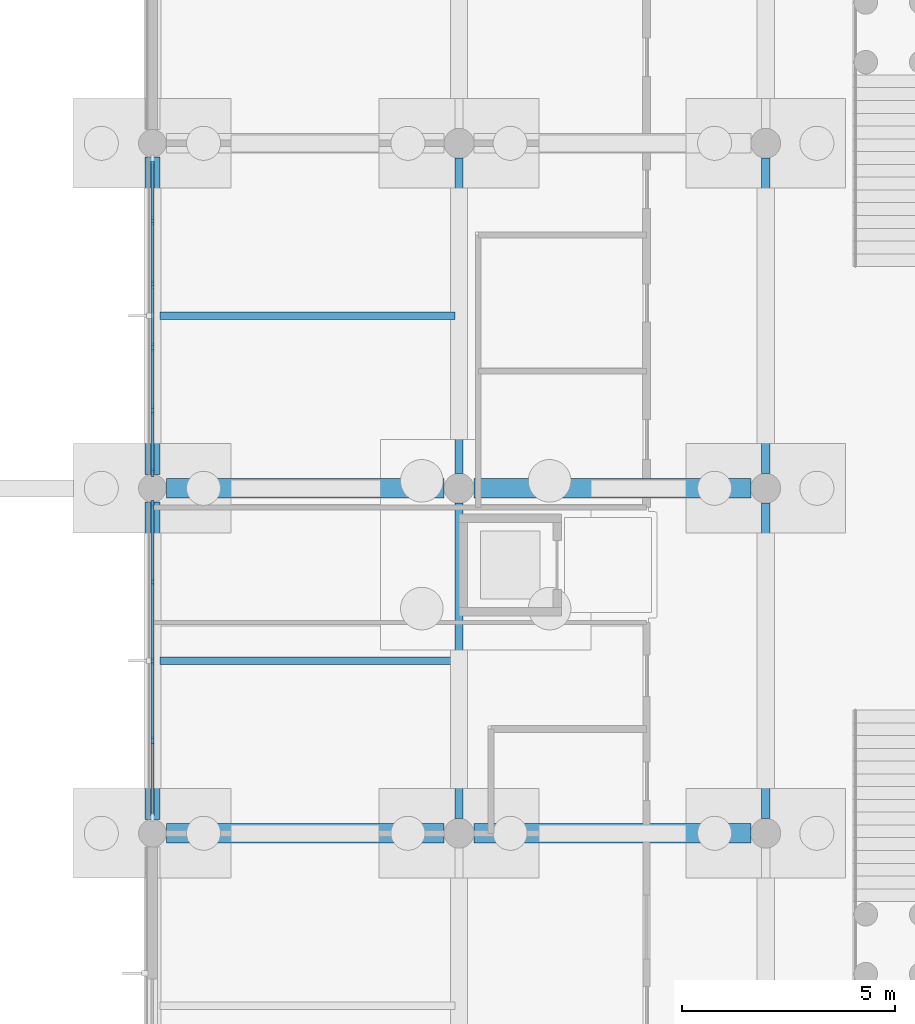
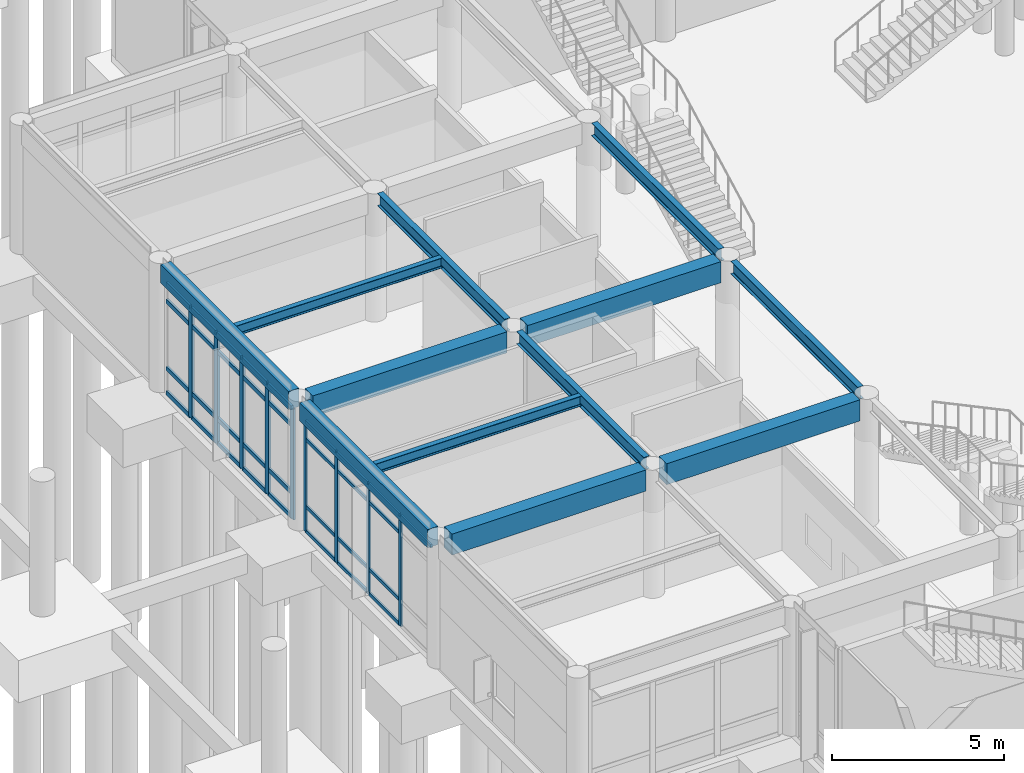
# One storey, part 15 of 103: 42 members, 12 beams, 2 elements without a shape of their own.
"""IFC4 building model written with IfcOpenShell, lengths in metres."""

import ifcopenshell
import ifcopenshell.guid

model = None  # the IFC model being written
_history = None  # IfcOwnerHistory: only IFC2X3 demands one
_inside = {}  # id of a spatial element -> (the spatial element, [elements in it])
_under = {}  # id of a project, library or spatial element -> (it, [spatial elements below it])
_declared = {}  # id of a project -> (the project, [libraries it declares])
_typed = {}  # id of a type object -> (the type object, [elements of that type])
_made_of = {}  # id of a material, layer set ... -> (it, [elements and type objects made of it])


def new_model(schema):
    """Start an empty IFC model of exactly this schema.

    Asked for "IFC4X3", IfcOpenShell would pick the latest addendum, in which some entities
    have other attributes; the version numbers below select the first issue.
    IFC2X3 requires an IfcOwnerHistory on every rooted entity: one is made here for all.
    """
    global model, _history
    if schema == "IFC4X3":
        model = ifcopenshell.file(schema_version=(4, 3, 0, 0))
    else:
        model = ifcopenshell.file(schema=schema)
    _inside.clear()
    _under.clear()
    _declared.clear()
    _typed.clear()
    _made_of.clear()
    _history = None
    if model.schema == "IFC2X3":
        org = make("IfcOrganization", Name="unknown")
        user = make(
            "IfcPersonAndOrganization",
            ThePerson=make("IfcPerson", FamilyName="unknown"),
            TheOrganization=org,
        )
        app = make(
            "IfcApplication",
            ApplicationDeveloper=org,
            Version="unknown",
            ApplicationFullName="unknown",
            ApplicationIdentifier="unknown",
        )
        _history = make(
            "IfcOwnerHistory",
            OwningUser=user,
            OwningApplication=app,
            ChangeAction="ADDED",
            CreationDate=0,
        )
    return model


def make(cls, **values):
    """One entity of the class cls with the attributes given. An attribute that is None is left unset."""
    return model.create_entity(
        cls, **{name: value for name, value in values.items() if value is not None}
    )


def rooted(cls, **values):
    """An entity with a GlobalId (a new one), such as an element, a storey or a relation."""
    return make(cls, GlobalId=ifcopenshell.guid.new(), OwnerHistory=_history, **values)


def si_unit(unit_type, name, prefix=None):
    """IfcSIUnit, for example si_unit("LENGTHUNIT", "METRE", prefix="MILLI")."""
    return make("IfcSIUnit", UnitType=unit_type, Prefix=prefix, Name=name)


def assignment(units):
    """IfcUnitAssignment: the units of a project."""
    return None if units is None else make("IfcUnitAssignment", Units=units)


def point(xyz):
    """IfcCartesianPoint."""
    return None if xyz is None else make("IfcCartesianPoint", Coordinates=xyz)


def direction(xyz):
    """IfcDirection."""
    return None if xyz is None else make("IfcDirection", DirectionRatios=xyz)


def frame(location, z_axis=None, x_axis=None):
    """IfcAxis2Placement3D, a coordinate frame: its origin and axes. An axis left out is left unset."""
    return make(
        "IfcAxis2Placement3D",
        Location=point(location),
        Axis=direction(z_axis),
        RefDirection=direction(x_axis),
    )


def frame_2d(location, x_axis=None):
    """IfcAxis2Placement2D, a coordinate frame in the plane: its origin and x axis."""
    return make(
        "IfcAxis2Placement2D", Location=point(location), RefDirection=direction(x_axis)
    )


def origin():
    """The frame at (0, 0, 0) with its axes left unset."""
    return frame((0.0, 0.0, 0.0))


def origin_2d():
    """The frame at (0, 0) in the plane with its x axis left unset."""
    return frame_2d((0.0, 0.0))


def place(relative_to, where):
    """IfcLocalPlacement: puts the frame where relative to a parent placement (None: the world)."""
    return make(
        "IfcLocalPlacement", PlacementRelTo=relative_to, RelativePlacement=where
    )


def context(
    kind, dimensions, precision=None, world=None, true_north=None, identifier=None
):
    """IfcGeometricRepresentationContext, for example the 3D "Model" context."""
    return make(
        "IfcGeometricRepresentationContext",
        ContextIdentifier=identifier,
        ContextType=kind,
        CoordinateSpaceDimension=dimensions,
        Precision=precision,
        WorldCoordinateSystem=world,
        TrueNorth=true_north,
    )


def subcontext(parent, identifier, kind, view, scale=None):
    """IfcGeometricRepresentationSubContext, for example "Body" below "Model"."""
    return make(
        "IfcGeometricRepresentationSubContext",
        ContextIdentifier=identifier,
        ContextType=kind,
        ParentContext=parent,
        TargetScale=scale,
        TargetView=view,
    )


def project(units=None, contexts=None):
    """IfcProject with its units and contexts."""
    return rooted(
        "IfcProject",
        Name="project",
        RepresentationContexts=contexts,
        UnitsInContext=assignment(units),
    )


def spatial(cls, under=None, at=None, **own):
    """A site, building, storey or space (cls), placed at a placement, below another one or the project."""
    s = rooted(cls, ObjectPlacement=at, **own)
    if under is not None:
        _under.setdefault(under.id(), (under, []))[1].append(s)
    return s


def profile(cls, at=None, kind="AREA", **sizes):
    """A parametric profile (cls). Its sizes go by their IFC names, for example OverallWidth=200.0."""
    return make(cls, ProfileType=kind, Position=at, **sizes)


def rectangle(**sizes):
    """IfcRectangleProfileDef."""
    return profile("IfcRectangleProfileDef", **sizes)


def i_section(**sizes):
    """IfcIShapeProfileDef."""
    return profile("IfcIShapeProfileDef", **sizes)


def extrude(swept, where, along, depth):
    """IfcExtrudedAreaSolid: the profile swept, set in the frame where, extruded along a direction by depth."""
    return make(
        "IfcExtrudedAreaSolid",
        SweptArea=swept,
        Position=where,
        ExtrudedDirection=direction(along),
        Depth=depth,
    )


def shape(context_of_items, identifier, shape_type, items):
    """IfcShapeRepresentation: the items that make up one representation, for example the "Body"."""
    return make(
        "IfcShapeRepresentation",
        ContextOfItems=context_of_items,
        RepresentationIdentifier=identifier,
        RepresentationType=shape_type,
        Items=items,
    )


def material(Name=None, Category=None):
    """IfcMaterial."""
    return make("IfcMaterial", Name=Name, Category=Category)


def layer(
    of_material, thickness, ventilated=None, Name=None, Category=None, Priority=None
):
    """IfcMaterialLayer: one layer of a wall or slab, of a material (None: an air gap)."""
    return make(
        "IfcMaterialLayer",
        Material=of_material,
        LayerThickness=thickness,
        IsVentilated=ventilated,
        Name=Name,
        Category=Category,
        Priority=Priority,
    )


def layer_set(layers, Name=None):
    """IfcMaterialLayerSet."""
    return make("IfcMaterialLayerSet", MaterialLayers=layers, LayerSetName=Name)


def material_profile(
    of_material, cross_section, Name=None, Category=None, Priority=None
):
    """IfcMaterialProfile: a cross section and its material."""
    return make(
        "IfcMaterialProfile",
        Name=Name,
        Material=of_material,
        Profile=cross_section,
        Priority=Priority,
        Category=Category,
    )


def profile_set(profiles, Name=None, composite=None):
    """IfcMaterialProfileSet."""
    return make(
        "IfcMaterialProfileSet",
        Name=Name,
        MaterialProfiles=profiles,
        CompositeProfile=composite,
    )


def made_of(thing, what):
    """Note that an element or type object is made of a material, layer set ...; save() writes the relation."""
    if what is not None:
        _made_of.setdefault(what.id(), (what, []))[1].append(thing)
    return thing


def type_object(cls, material=None, **own):
    """A type object (cls), such as IfcWallType, which elements share."""
    return made_of(rooted(cls, **own), material)


def element(
    cls,
    number,
    at=None,
    inside=None,
    cuts=None,
    type_object=None,
    material=None,
    context=None,
    identifier="Body",
    shape_type=None,
    held_by="IfcProductDefinitionShape",
    body=None,
    shapes=None,
    **own,
):
    """One element of the class cls, such as IfcWall. Its Tag is "e" and its number.

    at: its placement. inside: the storey or other place that contains it. cuts: it is an
    opening in that element (IfcRelVoidsElement). A single representation is given by context,
    identifier, shape_type and body (its items); several are given by shapes. held_by: the class
    of the entity that holds the representations. save() writes the other relations.
    """
    e = rooted(cls, Tag="e%d" % number, ObjectPlacement=at, **own)
    if body is not None:
        shapes = [shape(context, identifier, shape_type, body)]
    if shapes is not None:
        e.Representation = make(held_by, Representations=shapes)
    if inside is not None:
        _inside.setdefault(inside.id(), (inside, []))[1].append(e)
    if cuts is not None:
        rooted(
            "IfcRelVoidsElement", RelatingBuildingElement=cuts, RelatedOpeningElement=e
        )
    if type_object is not None:
        _typed.setdefault(type_object.id(), (type_object, []))[1].append(e)
    return made_of(e, material)


def aggregate(whole, parts):
    """IfcRelAggregates: a whole, such as a stair, and the parts it consists of."""
    return rooted("IfcRelAggregates", RelatingObject=whole, RelatedObjects=parts)


def save(model, path):
    """Write the relations noted so far, then the file.

    IfcRelAggregates (storeys below a building ...), IfcRelContainedInSpatialStructure (elements
    in a storey), IfcRelDefinesByType, IfcRelAssociatesMaterial and IfcRelDeclares: one each for
    every whole, place, type object, material and project.
    """
    for whole, parts in _under.values():
        aggregate(whole, parts)
    for where, things in _inside.values():
        rooted(
            "IfcRelContainedInSpatialStructure",
            RelatedElements=things,
            RelatingStructure=where,
        )
    for kind, things in _typed.values():
        rooted("IfcRelDefinesByType", RelatedObjects=things, RelatingType=kind)
    for what, things in _made_of.values():
        rooted("IfcRelAssociatesMaterial", RelatedObjects=things, RelatingMaterial=what)
    for by, libraries in _declared.values():
        rooted("IfcRelDeclares", RelatingContext=by, RelatedDefinitions=libraries)
    model.write(path)


model = new_model("IFC4")

# Units and contexts
model_context = context("Model", 3, precision=1e-05, world=origin(), true_north=direction((0.0, 1.0)))
body_context = subcontext(model_context, "Body", "Model", "MODEL_VIEW")
ifc_project = project(units=[si_unit("LENGTHUNIT", "METRE"), si_unit("AREAUNIT", "SQUARE_METRE"), si_unit("VOLUMEUNIT", "CUBIC_METRE"), si_unit("PLANEANGLEUNIT", "RADIAN"), si_unit("MASSUNIT", "GRAM", prefix="KILO")], contexts=[model_context])

# Site, building, storey
site_placement = place(None, origin())
site = spatial("IfcSite", under=ifc_project, at=site_placement, CompositionType="ELEMENT")
building_placement = place(site_placement, origin())
building = spatial("IfcBuilding", under=site, at=building_placement, Name="Namkhue Oval Health Centre", CompositionType="ELEMENT")
storey_placement = place(building_placement, origin())
storey = spatial("IfcBuildingStorey", under=building, at=storey_placement, Name="L00", CompositionType="ELEMENT", Elevation=0.0)

# Curtain wall, members
ifc_material_1 = material(Name="Anodised aluminium EN AW-6063 T6", Category="aluminium")
ifc_layer_1 = layer(ifc_material_1, 0.159912109375)
ifc_layer_set_1 = layer_set([ifc_layer_1], Name="Anodised aluminium EN AW-6063 T6")
curtain_wall_type_1 = type_object("IfcCurtainWallType", Name="UNITISED CURTAIN WALL M1800", PredefinedType="NOTDEFINED", material=ifc_layer_set_1)
curtain_wall_1_placement = place(storey_placement, origin())
curtain_wall_1 = element("IfcCurtainWall", 1, at=curtain_wall_1_placement, inside=storey, type_object=curtain_wall_type_1, Name="Volume V1 L00 Unitised Curtain Wall 17", PredefinedType="NOTDEFINED")
ifc_material_profile_1 = material_profile(ifc_material_1, rectangle(XDim=0.06494140625, YDim=0.159912109375, at=origin_2d()), Name="ALU 65x160")
ifc_profile_set_1 = profile_set([ifc_material_profile_1], Name="Anodised aluminium EN AW-6063 T6")
member_type_1 = type_object("IfcMemberType", Name="CURTAIN WALL MULLION 65X160", PredefinedType="MULLION", material=ifc_profile_set_1)
member_1_placement = place(storey_placement, frame((14.39990234375, 59.032470703125, 0.0), z_axis=(0.0, 0.0, 1.0), x_axis=(1.0, 0.0, 0.0)))
member_1 = element("IfcMember", 2, at=member_1_placement, type_object=member_type_1, Name="CW-05 mullion 1", PredefinedType="MULLION", context=body_context, shape_type="SweptSolid", body=[
    extrude(rectangle(XDim=0.06494140625, YDim=0.159912109375, at=origin_2d()), origin(), (0.0, 0.0, 1.0), 3.93994140625),
])
member_2_placement = place(storey_placement, frame((14.39990234375, 57.20751953125, 0.0), z_axis=(0.0, 0.0, 1.0), x_axis=(1.0, 0.0, 0.0)))
member_2 = element("IfcMember", 3, at=member_2_placement, type_object=member_type_1, Name="CW-05 mullion 2", PredefinedType="MULLION", context=body_context, shape_type="SweptSolid", body=[
    extrude(rectangle(XDim=0.06494140625, YDim=0.159912109375, at=origin_2d()), origin(), (0.0, 0.0, 1.0), 3.93994140625),
])
member_3_placement = place(storey_placement, frame((14.39990234375, 55.35009765625, 0.0), z_axis=(0.0, 0.0, 1.0), x_axis=(1.0, 0.0, 0.0)))
member_3 = element("IfcMember", 4, at=member_3_placement, type_object=member_type_1, Name="CW-05 mullion 3", PredefinedType="MULLION", context=body_context, shape_type="SweptSolid", body=[
    extrude(rectangle(XDim=0.06494140625, YDim=0.159912109375, at=origin_2d()), origin(), (0.0, 0.0, 1.0), 3.93994140625),
])
member_4_placement = place(storey_placement, frame((14.39990234375, 53.492431640625, 0.0), z_axis=(0.0, 0.0, 1.0), x_axis=(1.0, 0.0, 0.0)))
member_4 = element("IfcMember", 5, at=member_4_placement, type_object=member_type_1, Name="CW-05 mullion 4", PredefinedType="MULLION", context=body_context, shape_type="SweptSolid", body=[
    extrude(rectangle(XDim=0.06494140625, YDim=0.159912109375, at=origin_2d()), origin(), (0.0, 0.0, 1.0), 3.93994140625),
])

ifc_layer_2 = layer(ifc_material_1, 0.159912109375)
ifc_layer_set_2 = layer_set([ifc_layer_2], Name="Anodised aluminium EN AW-6063 T6")
curtain_wall_type_2 = type_object("IfcCurtainWallType", Name="UNITISED CURTAIN WALL M1600", PredefinedType="NOTDEFINED", material=ifc_layer_set_2)
curtain_wall_2_placement = place(storey_placement, origin())
curtain_wall_2 = element("IfcCurtainWall", 6, at=curtain_wall_2_placement, inside=storey, type_object=curtain_wall_type_2, Name="Volume V1 L00 Unitised Curtain Wall 16", PredefinedType="NOTDEFINED")
ifc_material_profile_2 = material_profile(ifc_material_1, rectangle(XDim=0.074951171875, YDim=0.199951171875, at=origin_2d()), Name="ALU 75x200")
ifc_profile_set_2 = profile_set([ifc_material_profile_2], Name="Anodised aluminium EN AW-6063 T6")
member_type_2 = type_object("IfcMemberType", Name="CURTAIN WALL MULLION 75X200", PredefinedType="MULLION", material=ifc_profile_set_2)
member_5_placement = place(storey_placement, frame((14.39990234375, 65.678955078125, 0.0), z_axis=(0.0, 0.0, 1.0), x_axis=(1.0, 0.0, 0.0)))
member_5 = element("IfcMember", 7, at=member_5_placement, type_object=member_type_2, Name="CW-04 mullion 2", PredefinedType="MULLION", context=body_context, shape_type="SweptSolid", body=[
    extrude(rectangle(XDim=0.074951171875, YDim=0.199951171875, at=origin_2d()), origin(), (0.0, 0.0, 1.0), 3.93994140625),
])
member_6_placement = place(storey_placement, frame((14.39990234375, 64.193115234375, 0.0), z_axis=(0.0, 0.0, 1.0), x_axis=(1.0, 0.0, 0.0)))
member_6 = element("IfcMember", 8, at=member_6_placement, type_object=member_type_2, Name="CW-04 mullion 3", PredefinedType="MULLION", context=body_context, shape_type="SweptSolid", body=[
    extrude(rectangle(XDim=0.074951171875, YDim=0.199951171875, at=origin_2d()), origin(), (0.0, 0.0, 1.0), 3.93994140625),
])
member_7_placement = place(storey_placement, frame((14.39990234375, 62.70703125, 0.0), z_axis=(0.0, 0.0, 1.0), x_axis=(1.0, 0.0, 0.0)))
member_7 = element("IfcMember", 9, at=member_7_placement, type_object=member_type_2, Name="CW-04 mullion 4", PredefinedType="MULLION", context=body_context, shape_type="SweptSolid", body=[
    extrude(rectangle(XDim=0.074951171875, YDim=0.199951171875, at=origin_2d()), origin(), (0.0, 0.0, 1.0), 3.93994140625),
])
member_8_placement = place(storey_placement, frame((14.39990234375, 61.220947265625, 0.0), z_axis=(0.0, 0.0, 1.0), x_axis=(1.0, 0.0, 0.0)))
member_8 = element("IfcMember", 10, at=member_8_placement, type_object=member_type_2, Name="CW-04 mullion 5", PredefinedType="MULLION", context=body_context, shape_type="SweptSolid", body=[
    extrude(rectangle(XDim=0.074951171875, YDim=0.199951171875, at=origin_2d()), origin(), (0.0, 0.0, 1.0), 3.93994140625),
])
member_9_placement = place(storey_placement, frame((14.39990234375, 59.7724609375, 0.0), z_axis=(0.0, 0.0, 1.0), x_axis=(1.0, 0.0, 0.0)))
member_9 = element("IfcMember", 11, at=member_9_placement, type_object=member_type_2, Name="CW-04 mullion 6", PredefinedType="MULLION", context=body_context, shape_type="SweptSolid", body=[
    extrude(rectangle(XDim=0.074951171875, YDim=0.199951171875, at=origin_2d()), origin(), (0.0, 0.0, 1.0), 3.93994140625),
])

# Member
ifc_material_profile_3 = material_profile(ifc_material_1, rectangle(XDim=0.06494140625, YDim=0.1201171875, at=origin_2d()), Name="ALU 65x120")
ifc_profile_set_3 = profile_set([ifc_material_profile_3], Name="Anodised aluminium EN AW-6063 T6")
member_type_3 = type_object("IfcMemberType", Name="CURTAIN WALL TRANSOM 65X120", PredefinedType="USERDEFINED", material=ifc_profile_set_3)
member_10_placement = place(storey_placement, frame((14.39990234375, 59.0, 0.032470703125), z_axis=(0.0, -1.0, 0.0), x_axis=(1.0, 0.0, 0.0)))
member_10 = element("IfcMember", 12, at=member_10_placement, type_object=member_type_3, Name="CW-05 transom 1.1", ObjectType="TRANSOM", PredefinedType="USERDEFINED", context=body_context, shape_type="SweptSolid", body=[
    extrude(rectangle(XDim=0.06494140625, YDim=0.1201171875, at=origin_2d()), origin(), (0.0, 0.0, 1.0), 1.760009765625),
])

member_11_placement = place(storey_placement, frame((14.39990234375, 59.0, 0.89990234375), z_axis=(0.0, -1.0, 0.0), x_axis=(1.0, 0.0, 0.0)))
member_11 = element("IfcMember", 13, at=member_11_placement, type_object=member_type_3, Name="CW-05 transom 1.2", ObjectType="TRANSOM", PredefinedType="USERDEFINED", context=body_context, shape_type="SweptSolid", body=[
    extrude(rectangle(XDim=0.06494140625, YDim=0.1201171875, at=origin_2d()), origin(), (0.0, 0.0, 1.0), 1.760009765625),
])

member_12_placement = place(storey_placement, frame((14.39990234375, 59.0, 3.2900390625), z_axis=(0.0, -1.0, 0.0), x_axis=(1.0, 0.0, 0.0)))
member_12 = element("IfcMember", 14, at=member_12_placement, type_object=member_type_3, Name="CW-05 transom 1.3", ObjectType="TRANSOM", PredefinedType="USERDEFINED", context=body_context, shape_type="SweptSolid", body=[
    extrude(rectangle(XDim=0.06494140625, YDim=0.1201171875, at=origin_2d()), origin(), (0.0, 0.0, 1.0), 1.760009765625),
])

member_13_placement = place(storey_placement, frame((14.39990234375, 59.0, 3.907470703125), z_axis=(0.0, -1.0, 0.0), x_axis=(1.0, 0.0, 0.0)))
member_13 = element("IfcMember", 15, at=member_13_placement, type_object=member_type_3, Name="CW-05 transom 1.4", ObjectType="TRANSOM", PredefinedType="USERDEFINED", context=body_context, shape_type="SweptSolid", body=[
    extrude(rectangle(XDim=0.06494140625, YDim=0.1201171875, at=origin_2d()), origin(), (0.0, 0.0, 1.0), 1.760009765625),
])

member_14_placement = place(storey_placement, frame((14.39990234375, 57.175048828125, 0.032470703125), z_axis=(0.0, -1.0, 0.0), x_axis=(1.0, 0.0, 0.0)))
member_14 = element("IfcMember", 16, at=member_14_placement, type_object=member_type_3, Name="CW-05 transom 2.1", ObjectType="TRANSOM", PredefinedType="USERDEFINED", context=body_context, shape_type="SweptSolid", body=[
    extrude(rectangle(XDim=0.06494140625, YDim=0.1201171875, at=origin_2d()), origin(), (0.0, 0.0, 1.0), 1.79248046875),
])

member_15_placement = place(storey_placement, frame((14.39990234375, 57.175048828125, 0.89990234375), z_axis=(0.0, -1.0, 0.0), x_axis=(1.0, 0.0, 0.0)))
member_15 = element("IfcMember", 17, at=member_15_placement, type_object=member_type_3, Name="CW-05 transom 2.2", ObjectType="TRANSOM", PredefinedType="USERDEFINED", context=body_context, shape_type="SweptSolid", body=[
    extrude(rectangle(XDim=0.06494140625, YDim=0.1201171875, at=origin_2d()), origin(), (0.0, 0.0, 1.0), 1.79248046875),
])

member_16_placement = place(storey_placement, frame((14.39990234375, 57.175048828125, 3.2900390625), z_axis=(0.0, -1.0, 0.0), x_axis=(1.0, 0.0, 0.0)))
member_16 = element("IfcMember", 18, at=member_16_placement, type_object=member_type_3, Name="CW-05 transom 2.3", ObjectType="TRANSOM", PredefinedType="USERDEFINED", context=body_context, shape_type="SweptSolid", body=[
    extrude(rectangle(XDim=0.06494140625, YDim=0.1201171875, at=origin_2d()), origin(), (0.0, 0.0, 1.0), 1.79248046875),
])

member_17_placement = place(storey_placement, frame((14.39990234375, 57.175048828125, 3.907470703125), z_axis=(0.0, -1.0, 0.0), x_axis=(1.0, 0.0, 0.0)))
member_17 = element("IfcMember", 19, at=member_17_placement, type_object=member_type_3, Name="CW-05 transom 2.4", ObjectType="TRANSOM", PredefinedType="USERDEFINED", context=body_context, shape_type="SweptSolid", body=[
    extrude(rectangle(XDim=0.06494140625, YDim=0.1201171875, at=origin_2d()), origin(), (0.0, 0.0, 1.0), 1.79248046875),
])

member_18_placement = place(storey_placement, frame((14.39990234375, 55.3173828125, 0.032470703125), z_axis=(0.0, -1.0, 0.0), x_axis=(1.0, 0.0, 0.0)))
member_18 = element("IfcMember", 20, at=member_18_placement, type_object=member_type_3, Name="CW-05 transom 3.1", ObjectType="TRANSOM", PredefinedType="USERDEFINED", context=body_context, shape_type="SweptSolid", body=[
    extrude(rectangle(XDim=0.06494140625, YDim=0.1201171875, at=origin_2d()), origin(), (0.0, 0.0, 1.0), 1.79248046875),
])

member_19_placement = place(storey_placement, frame((14.39990234375, 55.3173828125, 0.89990234375), z_axis=(0.0, -1.0, 0.0), x_axis=(1.0, 0.0, 0.0)))
member_19 = element("IfcMember", 21, at=member_19_placement, type_object=member_type_3, Name="CW-05 transom 3.2", ObjectType="TRANSOM", PredefinedType="USERDEFINED", context=body_context, shape_type="SweptSolid", body=[
    extrude(rectangle(XDim=0.06494140625, YDim=0.1201171875, at=origin_2d()), origin(), (0.0, 0.0, 1.0), 1.79248046875),
])

member_20_placement = place(storey_placement, frame((14.39990234375, 55.3173828125, 3.2900390625), z_axis=(0.0, -1.0, 0.0), x_axis=(1.0, 0.0, 0.0)))
member_20 = element("IfcMember", 22, at=member_20_placement, type_object=member_type_3, Name="CW-05 transom 3.3", ObjectType="TRANSOM", PredefinedType="USERDEFINED", context=body_context, shape_type="SweptSolid", body=[
    extrude(rectangle(XDim=0.06494140625, YDim=0.1201171875, at=origin_2d()), origin(), (0.0, 0.0, 1.0), 1.79248046875),
])

member_21_placement = place(storey_placement, frame((14.39990234375, 55.3173828125, 3.907470703125), z_axis=(0.0, -1.0, 0.0), x_axis=(1.0, 0.0, 0.0)))
member_21 = element("IfcMember", 23, at=member_21_placement, type_object=member_type_3, Name="CW-05 transom 3.4", ObjectType="TRANSOM", PredefinedType="USERDEFINED", context=body_context, shape_type="SweptSolid", body=[
    extrude(rectangle(XDim=0.06494140625, YDim=0.1201171875, at=origin_2d()), origin(), (0.0, 0.0, 1.0), 1.79248046875),
])

member_22_placement = place(storey_placement, frame((14.39990234375, 53.4599609375, 3.907470703125), z_axis=(0.0, -1.0, 0.0), x_axis=(1.0, 0.0, 0.0)))
member_22 = element("IfcMember", 24, at=member_22_placement, type_object=member_type_3, Name="CW-05 transom 4.4", ObjectType="TRANSOM", PredefinedType="USERDEFINED", context=body_context, shape_type="SweptSolid", body=[
    extrude(rectangle(XDim=0.06494140625, YDim=0.1201171875, at=origin_2d()), origin(), (0.0, 0.0, 1.0), 1.760009765625),
])

aggregate(curtain_wall_1, [member_1, member_2, member_3, member_4, member_10, member_11, member_12, member_13, member_14, member_15, member_16, member_17, member_18, member_19, member_20, member_21, member_22])

ifc_material_profile_4 = material_profile(ifc_material_1, rectangle(XDim=0.074951171875, YDim=0.14990234375, at=origin_2d()), Name="ALU 75x150")
ifc_profile_set_4 = profile_set([ifc_material_profile_4], Name="Anodised aluminium EN AW-6063 T6")
member_type_4 = type_object("IfcMemberType", Name="CURTAIN WALL TRANSOM 75X150", PredefinedType="USERDEFINED", material=ifc_profile_set_4)
member_23_placement = place(storey_placement, frame((14.39990234375, 67.090087890625, 0.03759765625), z_axis=(0.0, -1.0, 0.0), x_axis=(1.0, 0.0, 0.0)))
member_23 = element("IfcMember", 25, at=member_23_placement, type_object=member_type_4, Name="CW-04 transom 1.1", ObjectType="TRANSOM", PredefinedType="USERDEFINED", context=body_context, shape_type="SweptSolid", body=[
    extrude(rectangle(XDim=0.074951171875, YDim=0.14990234375, at=origin_2d()), origin(), (0.0, 0.0, 1.0), 1.37353515625),
])

member_24_placement = place(storey_placement, frame((14.39990234375, 67.090087890625, 0.89990234375), z_axis=(0.0, -1.0, 0.0), x_axis=(1.0, 0.0, 0.0)))
member_24 = element("IfcMember", 26, at=member_24_placement, type_object=member_type_4, Name="CW-04 transom 1.2", ObjectType="TRANSOM", PredefinedType="USERDEFINED", context=body_context, shape_type="SweptSolid", body=[
    extrude(rectangle(XDim=0.074951171875, YDim=0.14990234375, at=origin_2d()), origin(), (0.0, 0.0, 1.0), 1.37353515625),
])

member_25_placement = place(storey_placement, frame((14.39990234375, 67.090087890625, 3.2900390625), z_axis=(0.0, -1.0, 0.0), x_axis=(1.0, 0.0, 0.0)))
member_25 = element("IfcMember", 27, at=member_25_placement, type_object=member_type_4, Name="CW-04 transom 1.3", ObjectType="TRANSOM", PredefinedType="USERDEFINED", context=body_context, shape_type="SweptSolid", body=[
    extrude(rectangle(XDim=0.074951171875, YDim=0.14990234375, at=origin_2d()), origin(), (0.0, 0.0, 1.0), 1.37353515625),
])

member_26_placement = place(storey_placement, frame((14.39990234375, 67.090087890625, 3.902587890625), z_axis=(0.0, -1.0, 0.0), x_axis=(1.0, 0.0, 0.0)))
member_26 = element("IfcMember", 28, at=member_26_placement, type_object=member_type_4, Name="CW-04 transom 1.4", ObjectType="TRANSOM", PredefinedType="USERDEFINED", context=body_context, shape_type="SweptSolid", body=[
    extrude(rectangle(XDim=0.074951171875, YDim=0.14990234375, at=origin_2d()), origin(), (0.0, 0.0, 1.0), 1.37353515625),
])

member_27_placement = place(storey_placement, frame((14.39990234375, 65.6416015625, 0.03759765625), z_axis=(0.0, -1.0, 0.0), x_axis=(1.0, 0.0, 0.0)))
member_27 = element("IfcMember", 29, at=member_27_placement, type_object=member_type_4, Name="CW-04 transom 2.1", ObjectType="TRANSOM", PredefinedType="USERDEFINED", context=body_context, shape_type="SweptSolid", body=[
    extrude(rectangle(XDim=0.074951171875, YDim=0.14990234375, at=origin_2d()), origin(), (0.0, 0.0, 1.0), 1.4111328125),
])

member_28_placement = place(storey_placement, frame((14.39990234375, 65.6416015625, 0.89990234375), z_axis=(0.0, -1.0, 0.0), x_axis=(1.0, 0.0, 0.0)))
member_28 = element("IfcMember", 30, at=member_28_placement, type_object=member_type_4, Name="CW-04 transom 2.2", ObjectType="TRANSOM", PredefinedType="USERDEFINED", context=body_context, shape_type="SweptSolid", body=[
    extrude(rectangle(XDim=0.074951171875, YDim=0.14990234375, at=origin_2d()), origin(), (0.0, 0.0, 1.0), 1.4111328125),
])

member_29_placement = place(storey_placement, frame((14.39990234375, 65.6416015625, 3.2900390625), z_axis=(0.0, -1.0, 0.0), x_axis=(1.0, 0.0, 0.0)))
member_29 = element("IfcMember", 31, at=member_29_placement, type_object=member_type_4, Name="CW-04 transom 2.3", ObjectType="TRANSOM", PredefinedType="USERDEFINED", context=body_context, shape_type="SweptSolid", body=[
    extrude(rectangle(XDim=0.074951171875, YDim=0.14990234375, at=origin_2d()), origin(), (0.0, 0.0, 1.0), 1.4111328125),
])

member_30_placement = place(storey_placement, frame((14.39990234375, 65.6416015625, 3.902587890625), z_axis=(0.0, -1.0, 0.0), x_axis=(1.0, 0.0, 0.0)))
member_30 = element("IfcMember", 32, at=member_30_placement, type_object=member_type_4, Name="CW-04 transom 2.4", ObjectType="TRANSOM", PredefinedType="USERDEFINED", context=body_context, shape_type="SweptSolid", body=[
    extrude(rectangle(XDim=0.074951171875, YDim=0.14990234375, at=origin_2d()), origin(), (0.0, 0.0, 1.0), 1.4111328125),
])

member_31_placement = place(storey_placement, frame((14.39990234375, 64.155517578125, 0.03759765625), z_axis=(0.0, -1.0, 0.0), x_axis=(1.0, 0.0, 0.0)))
member_31 = element("IfcMember", 33, at=member_31_placement, type_object=member_type_4, Name="CW-04 transom 3.1", ObjectType="TRANSOM", PredefinedType="USERDEFINED", context=body_context, shape_type="SweptSolid", body=[
    extrude(rectangle(XDim=0.074951171875, YDim=0.14990234375, at=origin_2d()), origin(), (0.0, 0.0, 1.0), 1.4111328125),
])

member_32_placement = place(storey_placement, frame((14.39990234375, 64.155517578125, 0.89990234375), z_axis=(0.0, -1.0, 0.0), x_axis=(1.0, 0.0, 0.0)))
member_32 = element("IfcMember", 34, at=member_32_placement, type_object=member_type_4, Name="CW-04 transom 3.2", ObjectType="TRANSOM", PredefinedType="USERDEFINED", context=body_context, shape_type="SweptSolid", body=[
    extrude(rectangle(XDim=0.074951171875, YDim=0.14990234375, at=origin_2d()), origin(), (0.0, 0.0, 1.0), 1.4111328125),
])

member_33_placement = place(storey_placement, frame((14.39990234375, 64.155517578125, 3.2900390625), z_axis=(0.0, -1.0, 0.0), x_axis=(1.0, 0.0, 0.0)))
member_33 = element("IfcMember", 35, at=member_33_placement, type_object=member_type_4, Name="CW-04 transom 3.3", ObjectType="TRANSOM", PredefinedType="USERDEFINED", context=body_context, shape_type="SweptSolid", body=[
    extrude(rectangle(XDim=0.074951171875, YDim=0.14990234375, at=origin_2d()), origin(), (0.0, 0.0, 1.0), 1.4111328125),
])

member_34_placement = place(storey_placement, frame((14.39990234375, 64.155517578125, 3.902587890625), z_axis=(0.0, -1.0, 0.0), x_axis=(1.0, 0.0, 0.0)))
member_34 = element("IfcMember", 36, at=member_34_placement, type_object=member_type_4, Name="CW-04 transom 3.4", ObjectType="TRANSOM", PredefinedType="USERDEFINED", context=body_context, shape_type="SweptSolid", body=[
    extrude(rectangle(XDim=0.074951171875, YDim=0.14990234375, at=origin_2d()), origin(), (0.0, 0.0, 1.0), 1.4111328125),
])

member_35_placement = place(storey_placement, frame((14.39990234375, 62.66943359375, 0.03759765625), z_axis=(0.0, -1.0, 0.0), x_axis=(1.0, 0.0, 0.0)))
member_35 = element("IfcMember", 37, at=member_35_placement, type_object=member_type_4, Name="CW-04 transom 4.1", ObjectType="TRANSOM", PredefinedType="USERDEFINED", context=body_context, shape_type="SweptSolid", body=[
    extrude(rectangle(XDim=0.074951171875, YDim=0.14990234375, at=origin_2d()), origin(), (0.0, 0.0, 1.0), 1.410888671875),
])

member_36_placement = place(storey_placement, frame((14.39990234375, 62.66943359375, 0.89990234375), z_axis=(0.0, -1.0, 0.0), x_axis=(1.0, 0.0, 0.0)))
member_36 = element("IfcMember", 38, at=member_36_placement, type_object=member_type_4, Name="CW-04 transom 4.2", ObjectType="TRANSOM", PredefinedType="USERDEFINED", context=body_context, shape_type="SweptSolid", body=[
    extrude(rectangle(XDim=0.074951171875, YDim=0.14990234375, at=origin_2d()), origin(), (0.0, 0.0, 1.0), 1.410888671875),
])

member_37_placement = place(storey_placement, frame((14.39990234375, 62.66943359375, 3.2900390625), z_axis=(0.0, -1.0, 0.0), x_axis=(1.0, 0.0, 0.0)))
member_37 = element("IfcMember", 39, at=member_37_placement, type_object=member_type_4, Name="CW-04 transom 4.3", ObjectType="TRANSOM", PredefinedType="USERDEFINED", context=body_context, shape_type="SweptSolid", body=[
    extrude(rectangle(XDim=0.074951171875, YDim=0.14990234375, at=origin_2d()), origin(), (0.0, 0.0, 1.0), 1.410888671875),
])

member_38_placement = place(storey_placement, frame((14.39990234375, 62.66943359375, 3.902587890625), z_axis=(0.0, -1.0, 0.0), x_axis=(1.0, 0.0, 0.0)))
member_38 = element("IfcMember", 40, at=member_38_placement, type_object=member_type_4, Name="CW-04 transom 4.4", ObjectType="TRANSOM", PredefinedType="USERDEFINED", context=body_context, shape_type="SweptSolid", body=[
    extrude(rectangle(XDim=0.074951171875, YDim=0.14990234375, at=origin_2d()), origin(), (0.0, 0.0, 1.0), 1.410888671875),
])

member_39_placement = place(storey_placement, frame((14.39990234375, 61.18359375, 0.03759765625), z_axis=(0.0, -1.0, 0.0), x_axis=(1.0, 0.0, 0.0)))
member_39 = element("IfcMember", 41, at=member_39_placement, type_object=member_type_4, Name="CW-04 transom 5.1", ObjectType="TRANSOM", PredefinedType="USERDEFINED", context=body_context, shape_type="SweptSolid", body=[
    extrude(rectangle(XDim=0.074951171875, YDim=0.14990234375, at=origin_2d()), origin(), (0.0, 0.0, 1.0), 1.37353515625),
])

member_40_placement = place(storey_placement, frame((14.39990234375, 61.18359375, 0.89990234375), z_axis=(0.0, -1.0, 0.0), x_axis=(1.0, 0.0, 0.0)))
member_40 = element("IfcMember", 42, at=member_40_placement, type_object=member_type_4, Name="CW-04 transom 5.2", ObjectType="TRANSOM", PredefinedType="USERDEFINED", context=body_context, shape_type="SweptSolid", body=[
    extrude(rectangle(XDim=0.074951171875, YDim=0.14990234375, at=origin_2d()), origin(), (0.0, 0.0, 1.0), 1.37353515625),
])

member_41_placement = place(storey_placement, frame((14.39990234375, 61.18359375, 3.2900390625), z_axis=(0.0, -1.0, 0.0), x_axis=(1.0, 0.0, 0.0)))
member_41 = element("IfcMember", 43, at=member_41_placement, type_object=member_type_4, Name="CW-04 transom 5.3", ObjectType="TRANSOM", PredefinedType="USERDEFINED", context=body_context, shape_type="SweptSolid", body=[
    extrude(rectangle(XDim=0.074951171875, YDim=0.14990234375, at=origin_2d()), origin(), (0.0, 0.0, 1.0), 1.37353515625),
])

member_42_placement = place(storey_placement, frame((14.39990234375, 61.18359375, 3.902587890625), z_axis=(0.0, -1.0, 0.0), x_axis=(1.0, 0.0, 0.0)))
member_42 = element("IfcMember", 44, at=member_42_placement, type_object=member_type_4, Name="CW-04 transom 5.4", ObjectType="TRANSOM", PredefinedType="USERDEFINED", context=body_context, shape_type="SweptSolid", body=[
    extrude(rectangle(XDim=0.074951171875, YDim=0.14990234375, at=origin_2d()), origin(), (0.0, 0.0, 1.0), 1.37353515625),
])

aggregate(curtain_wall_2, [member_5, member_6, member_7, member_8, member_9, member_23, member_24, member_25, member_26, member_27, member_28, member_29, member_30, member_31, member_32, member_33, member_34, member_35, member_36, member_37, member_38, member_39, member_40, member_41, member_42])

# Beams
ifc_material_2 = material(Name="Structural steel EN 10025-2 S355JR (TCVN 5575:2024)", Category="steel")
ifc_material_profile_5 = material_profile(ifc_material_2, i_section(OverallWidth=0.18994140625, OverallDepth=0.449951171875, WebThickness=0.009521484375, FlangeThickness=0.0146484375, FilletRadius=0.02099609375, at=origin_2d()), Name="IPE 450")
ifc_profile_set_5 = profile_set([ifc_material_profile_5], Name="Structural steel EN 10025-2 S355JR (TCVN 5575:2024)")
beam_type_1 = type_object("IfcBeamType", Name="FLOOR BEAM STEEL IPE 450", PredefinedType="BEAM", material=ifc_profile_set_5)
beam_1_placement = place(storey_placement, frame((21.60009765625, 51.64990234375, 4.364990234375), z_axis=(0.0, 1.0, 0.0), x_axis=(-1.0, 0.0, 0.0)))
element("IfcBeam", 45, at=beam_1_placement, inside=storey, type_object=beam_type_1, Name="Volume V1 L01 Beam 4/H-J", PredefinedType="BEAM", context=body_context, shape_type="SweptSolid", body=[
    extrude(i_section(OverallWidth=0.18994140625, OverallDepth=0.449951171875, WebThickness=0.009521484375, FlangeThickness=0.0146484375, FilletRadius=0.02099609375, at=origin_2d()), origin(), (0.0, 0.0, 1.0), 7.400146484375),
])
beam_2_placement = place(storey_placement, frame((21.60009765625, 59.75, 4.364990234375), z_axis=(0.0, 1.0, 0.0), x_axis=(-1.0, 0.0, 0.0)))
element("IfcBeam", 46, at=beam_2_placement, inside=storey, type_object=beam_type_1, Name="Volume V1 L01 Beam 4/J-K", PredefinedType="BEAM", context=body_context, shape_type="SweptSolid", body=[
    extrude(i_section(OverallWidth=0.18994140625, OverallDepth=0.449951171875, WebThickness=0.009521484375, FlangeThickness=0.0146484375, FilletRadius=0.02099609375, at=origin_2d()), origin(), (0.0, 0.0, 1.0), 7.39990234375),
])
beam_3_placement = place(storey_placement, frame((28.800048828125, 51.64990234375, 4.340087890625), z_axis=(0.0, 1.0, 0.0), x_axis=(-1.0, 0.0, 0.0)))
element("IfcBeam", 47, at=beam_3_placement, inside=storey, type_object=beam_type_1, Name="Volume V1 L01 Beam 5/H-J", PredefinedType="BEAM", context=body_context, shape_type="SweptSolid", body=[
    extrude(i_section(OverallWidth=0.18994140625, OverallDepth=0.449951171875, WebThickness=0.009521484375, FlangeThickness=0.0146484375, FilletRadius=0.02099609375, at=origin_2d()), origin(), (0.0, 0.0, 1.0), 7.400146484375),
])
beam_4_placement = place(storey_placement, frame((28.800048828125, 59.75, 4.340087890625), z_axis=(0.0, 1.0, 0.0), x_axis=(-1.0, 0.0, 0.0)))
element("IfcBeam", 48, at=beam_4_placement, inside=storey, type_object=beam_type_1, Name="Volume V1 L01 Beam 5/J-K", PredefinedType="BEAM", context=body_context, shape_type="SweptSolid", body=[
    extrude(i_section(OverallWidth=0.18994140625, OverallDepth=0.449951171875, WebThickness=0.009521484375, FlangeThickness=0.0146484375, FilletRadius=0.02099609375, at=origin_2d()), origin(), (0.0, 0.0, 1.0), 7.39990234375),
])
ifc_material_3 = material(Name="Reinforced concrete C35/45 (TCVN B40)", Category="concrete")
ifc_material_profile_6 = material_profile(ifc_material_3, rectangle(XDim=0.35009765625, YDim=0.64990234375, at=origin_2d()), Name="RC 350x650")
ifc_profile_set_6 = profile_set([ifc_material_profile_6], Name="Reinforced concrete C35/45 (TCVN B40)")
beam_type_2 = type_object("IfcBeamType", Name="PERIMETER SPANDREL BEAM 350X650", PredefinedType="SPANDREL", material=ifc_profile_set_6)
for number, where, z_axis, x_axis, name in (
    (49, (14.39990234375, 51.625, 4.264892578125), (0.0, 1.0, 0.0), (-1.0, 0.0, 0.0), "Volume V1 L01 Beam 3/H-J"),
    (50, (14.39990234375, 59.72509765625, 4.264892578125), (0.0, 1.0, 0.0), (-1.0, 0.0, 0.0), "Volume V1 L01 Beam 3/J-K"),
):
    element("IfcBeam", number, at=place(storey_placement, frame(where, z_axis=z_axis, x_axis=x_axis)), inside=storey, type_object=beam_type_2, Name=name, PredefinedType="SPANDREL", context=body_context, shape_type="SweptSolid", body=[
        extrude(rectangle(XDim=0.35009765625, YDim=0.64990234375, at=origin_2d()), origin(), (0.0, 0.0, 1.0), 7.449951171875),
    ])
ifc_material_profile_7 = material_profile(ifc_material_3, rectangle(XDim=0.449951171875, YDim=0.75, at=origin_2d()), Name="RC 450x750")
ifc_profile_set_7 = profile_set([ifc_material_profile_7], Name="Reinforced concrete C35/45 (TCVN B40)")
beam_type_3 = type_object("IfcBeamType", Name="PRIMARY GIRDER RC 450X750", PredefinedType="USERDEFINED", material=ifc_profile_set_7)
beam_5_placement = place(storey_placement, frame((14.72509765625, 51.300048828125, 4.215087890625), z_axis=(1.0, 0.0, 0.0), x_axis=(0.0, 1.0, 0.0)))
element("IfcBeam", 51, at=beam_5_placement, inside=storey, type_object=beam_type_3, Name="Volume V1 L01 Girder H/3-4", ObjectType="GIRDER", PredefinedType="USERDEFINED", context=body_context, shape_type="SweptSolid", body=[
    extrude(rectangle(XDim=0.449951171875, YDim=0.75, at=origin_2d()), origin(), (0.0, 0.0, 1.0), 6.52490234375),
])
beam_6_placement = place(storey_placement, frame((21.949951171875, 51.300048828125, 4.18994140625), z_axis=(1.0, 0.0, 0.0), x_axis=(0.0, 1.0, 0.0)))
element("IfcBeam", 52, at=beam_6_placement, inside=storey, type_object=beam_type_3, Name="Volume V1 L01 Girder H/4-5", ObjectType="GIRDER", PredefinedType="USERDEFINED", context=body_context, shape_type="SweptSolid", body=[
    extrude(rectangle(XDim=0.449951171875, YDim=0.75, at=origin_2d()), origin(), (0.0, 0.0, 1.0), 6.5),
])
beam_7_placement = place(storey_placement, frame((14.72509765625, 59.39990234375, 4.215087890625), z_axis=(1.0, 0.0, 0.0), x_axis=(0.0, 1.0, 0.0)))
element("IfcBeam", 53, at=beam_7_placement, inside=storey, type_object=beam_type_3, Name="Volume V1 L01 Girder J/3-4", ObjectType="GIRDER", PredefinedType="USERDEFINED", context=body_context, shape_type="SweptSolid", body=[
    extrude(rectangle(XDim=0.449951171875, YDim=0.75, at=origin_2d()), origin(), (0.0, 0.0, 1.0), 6.52490234375),
])
beam_8_placement = place(storey_placement, frame((21.949951171875, 59.39990234375, 4.18994140625), z_axis=(1.0, 0.0, 0.0), x_axis=(0.0, 1.0, 0.0)))
element("IfcBeam", 54, at=beam_8_placement, inside=storey, type_object=beam_type_3, Name="Volume V1 L01 Girder J/4-5", ObjectType="GIRDER", PredefinedType="USERDEFINED", context=body_context, shape_type="SweptSolid", body=[
    extrude(rectangle(XDim=0.449951171875, YDim=0.75, at=origin_2d()), origin(), (0.0, 0.0, 1.0), 6.5),
])
ifc_material_profile_8 = material_profile(ifc_material_2, i_section(OverallWidth=0.169921875, OverallDepth=0.360107421875, WebThickness=0.008056640625, FlangeThickness=0.0126953125, FilletRadius=0.01806640625, at=origin_2d()), Name="IPE 360")
ifc_profile_set_8 = profile_set([ifc_material_profile_8], Name="Structural steel EN 10025-2 S355JR (TCVN 5575:2024)")
beam_type_4 = type_object("IfcBeamType", Name="SECONDARY JOIST STEEL IPE 360", PredefinedType="JOIST", material=ifc_profile_set_8)
for number, where, z_axis, x_axis, name in (
    (55, (14.574951171875, 55.35009765625, 4.409912109375), (1.0, 0.0, 0.0), (0.0, 1.0, 0.0), "Volume V1 L01 Secondary Joist 3-4"),
    (56, (14.574951171875, 63.449951171875, 4.409912109375), (1.0, 0.0, 0.0), (0.0, 1.0, 0.0), "Volume V1 L01 Secondary Joist 3-4"),
):
    element("IfcBeam", number, at=place(storey_placement, frame(where, z_axis=z_axis, x_axis=x_axis)), inside=storey, type_object=beam_type_4, Name=name, PredefinedType="JOIST", context=body_context, shape_type="SweptSolid", body=[
        extrude(i_section(OverallWidth=0.169921875, OverallDepth=0.360107421875, WebThickness=0.008056640625, FlangeThickness=0.0126953125, FilletRadius=0.01806640625, at=origin_2d()), origin(), (0.0, 0.0, 1.0), 6.929931640625),
    ])

save(model, "model.ifc")
